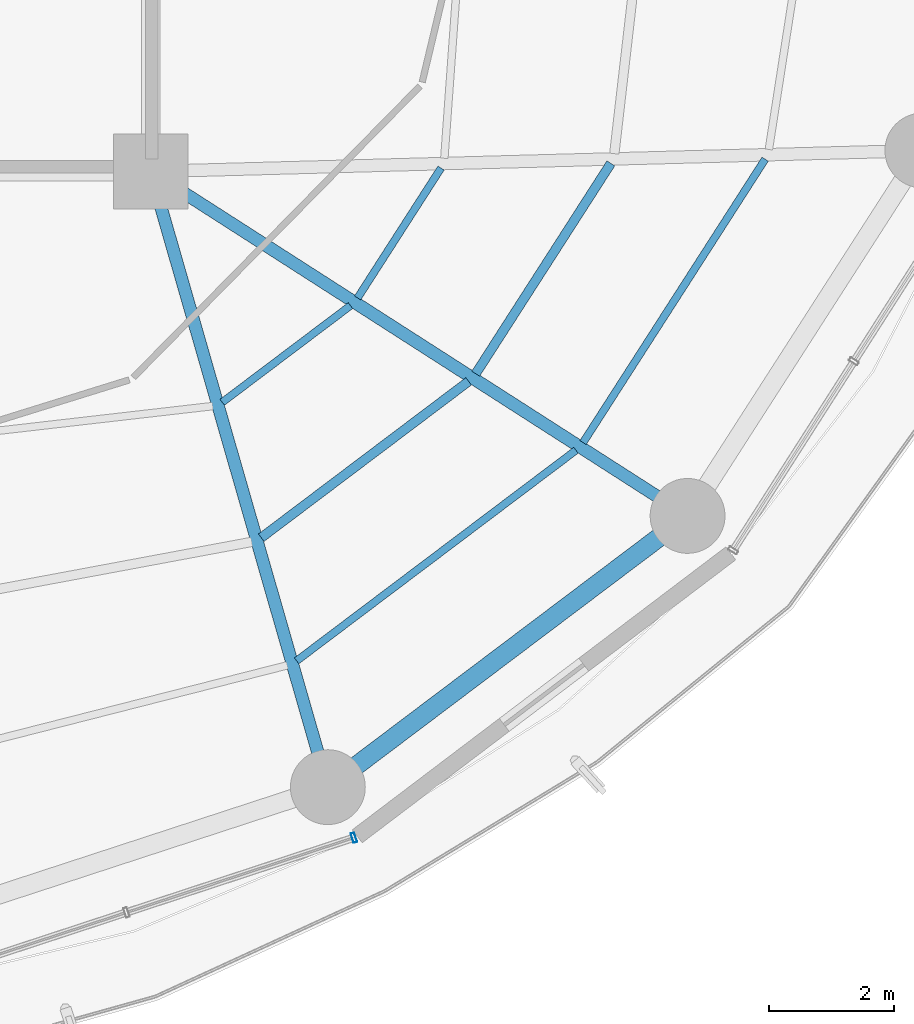
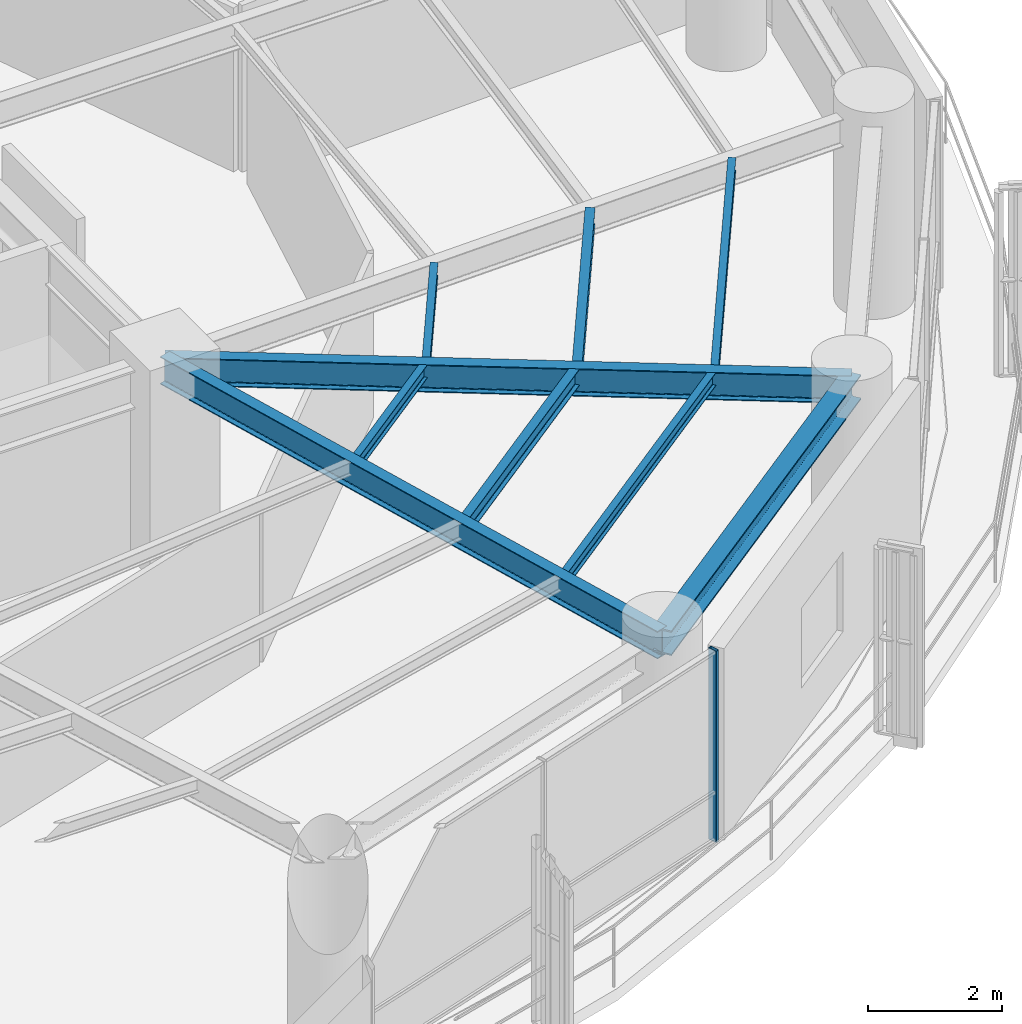
# One storey, part 10 of 28: 9 beams, 1 member, 1 element without a shape of its own.
"""IFC4 building model written with IfcOpenShell, lengths in metres."""

import ifcopenshell
import ifcopenshell.guid

model = None  # the IFC model being written
_history = None  # IfcOwnerHistory: only IFC2X3 demands one
_inside = {}  # id of a spatial element -> (the spatial element, [elements in it])
_under = {}  # id of a project, library or spatial element -> (it, [spatial elements below it])
_declared = {}  # id of a project -> (the project, [libraries it declares])
_typed = {}  # id of a type object -> (the type object, [elements of that type])
_made_of = {}  # id of a material, layer set ... -> (it, [elements and type objects made of it])


def new_model(schema):
    """Start an empty IFC model of exactly this schema.

    Asked for "IFC4X3", IfcOpenShell would pick the latest addendum, in which some entities
    have other attributes; the version numbers below select the first issue.
    IFC2X3 requires an IfcOwnerHistory on every rooted entity: one is made here for all.
    """
    global model, _history
    if schema == "IFC4X3":
        model = ifcopenshell.file(schema_version=(4, 3, 0, 0))
    else:
        model = ifcopenshell.file(schema=schema)
    _inside.clear()
    _under.clear()
    _declared.clear()
    _typed.clear()
    _made_of.clear()
    _history = None
    if model.schema == "IFC2X3":
        org = make("IfcOrganization", Name="unknown")
        user = make(
            "IfcPersonAndOrganization",
            ThePerson=make("IfcPerson", FamilyName="unknown"),
            TheOrganization=org,
        )
        app = make(
            "IfcApplication",
            ApplicationDeveloper=org,
            Version="unknown",
            ApplicationFullName="unknown",
            ApplicationIdentifier="unknown",
        )
        _history = make(
            "IfcOwnerHistory",
            OwningUser=user,
            OwningApplication=app,
            ChangeAction="ADDED",
            CreationDate=0,
        )
    return model


def make(cls, **values):
    """One entity of the class cls with the attributes given. An attribute that is None is left unset."""
    return model.create_entity(
        cls, **{name: value for name, value in values.items() if value is not None}
    )


def rooted(cls, **values):
    """An entity with a GlobalId (a new one), such as an element, a storey or a relation."""
    return make(cls, GlobalId=ifcopenshell.guid.new(), OwnerHistory=_history, **values)


def si_unit(unit_type, name, prefix=None):
    """IfcSIUnit, for example si_unit("LENGTHUNIT", "METRE", prefix="MILLI")."""
    return make("IfcSIUnit", UnitType=unit_type, Prefix=prefix, Name=name)


def assignment(units):
    """IfcUnitAssignment: the units of a project."""
    return None if units is None else make("IfcUnitAssignment", Units=units)


def point(xyz):
    """IfcCartesianPoint."""
    return None if xyz is None else make("IfcCartesianPoint", Coordinates=xyz)


def direction(xyz):
    """IfcDirection."""
    return None if xyz is None else make("IfcDirection", DirectionRatios=xyz)


def frame(location, z_axis=None, x_axis=None):
    """IfcAxis2Placement3D, a coordinate frame: its origin and axes. An axis left out is left unset."""
    return make(
        "IfcAxis2Placement3D",
        Location=point(location),
        Axis=direction(z_axis),
        RefDirection=direction(x_axis),
    )


def frame_2d(location, x_axis=None):
    """IfcAxis2Placement2D, a coordinate frame in the plane: its origin and x axis."""
    return make(
        "IfcAxis2Placement2D", Location=point(location), RefDirection=direction(x_axis)
    )


def origin():
    """The frame at (0, 0, 0) with its axes left unset."""
    return frame((0.0, 0.0, 0.0))


def origin_2d():
    """The frame at (0, 0) in the plane with its x axis left unset."""
    return frame_2d((0.0, 0.0))


def place(relative_to, where):
    """IfcLocalPlacement: puts the frame where relative to a parent placement (None: the world)."""
    return make(
        "IfcLocalPlacement", PlacementRelTo=relative_to, RelativePlacement=where
    )


def context(
    kind, dimensions, precision=None, world=None, true_north=None, identifier=None
):
    """IfcGeometricRepresentationContext, for example the 3D "Model" context."""
    return make(
        "IfcGeometricRepresentationContext",
        ContextIdentifier=identifier,
        ContextType=kind,
        CoordinateSpaceDimension=dimensions,
        Precision=precision,
        WorldCoordinateSystem=world,
        TrueNorth=true_north,
    )


def subcontext(parent, identifier, kind, view, scale=None):
    """IfcGeometricRepresentationSubContext, for example "Body" below "Model"."""
    return make(
        "IfcGeometricRepresentationSubContext",
        ContextIdentifier=identifier,
        ContextType=kind,
        ParentContext=parent,
        TargetScale=scale,
        TargetView=view,
    )


def project(units=None, contexts=None):
    """IfcProject with its units and contexts."""
    return rooted(
        "IfcProject",
        Name="project",
        RepresentationContexts=contexts,
        UnitsInContext=assignment(units),
    )


def spatial(cls, under=None, at=None, **own):
    """A site, building, storey or space (cls), placed at a placement, below another one or the project."""
    s = rooted(cls, ObjectPlacement=at, **own)
    if under is not None:
        _under.setdefault(under.id(), (under, []))[1].append(s)
    return s


def profile(cls, at=None, kind="AREA", **sizes):
    """A parametric profile (cls). Its sizes go by their IFC names, for example OverallWidth=200.0."""
    return make(cls, ProfileType=kind, Position=at, **sizes)


def hollow_rectangle(**sizes):
    """IfcRectangleHollowProfileDef."""
    return profile("IfcRectangleHollowProfileDef", **sizes)


def i_section(**sizes):
    """IfcIShapeProfileDef."""
    return profile("IfcIShapeProfileDef", **sizes)


def extrude(swept, where, along, depth):
    """IfcExtrudedAreaSolid: the profile swept, set in the frame where, extruded along a direction by depth."""
    return make(
        "IfcExtrudedAreaSolid",
        SweptArea=swept,
        Position=where,
        ExtrudedDirection=direction(along),
        Depth=depth,
    )


def shape(context_of_items, identifier, shape_type, items):
    """IfcShapeRepresentation: the items that make up one representation, for example the "Body"."""
    return make(
        "IfcShapeRepresentation",
        ContextOfItems=context_of_items,
        RepresentationIdentifier=identifier,
        RepresentationType=shape_type,
        Items=items,
    )


def material(Name=None, Category=None):
    """IfcMaterial."""
    return make("IfcMaterial", Name=Name, Category=Category)


def layer(
    of_material, thickness, ventilated=None, Name=None, Category=None, Priority=None
):
    """IfcMaterialLayer: one layer of a wall or slab, of a material (None: an air gap)."""
    return make(
        "IfcMaterialLayer",
        Material=of_material,
        LayerThickness=thickness,
        IsVentilated=ventilated,
        Name=Name,
        Category=Category,
        Priority=Priority,
    )


def layer_set(layers, Name=None):
    """IfcMaterialLayerSet."""
    return make("IfcMaterialLayerSet", MaterialLayers=layers, LayerSetName=Name)


def material_profile(
    of_material, cross_section, Name=None, Category=None, Priority=None
):
    """IfcMaterialProfile: a cross section and its material."""
    return make(
        "IfcMaterialProfile",
        Name=Name,
        Material=of_material,
        Profile=cross_section,
        Priority=Priority,
        Category=Category,
    )


def profile_set(profiles, Name=None, composite=None):
    """IfcMaterialProfileSet."""
    return make(
        "IfcMaterialProfileSet",
        Name=Name,
        MaterialProfiles=profiles,
        CompositeProfile=composite,
    )


def made_of(thing, what):
    """Note that an element or type object is made of a material, layer set ...; save() writes the relation."""
    if what is not None:
        _made_of.setdefault(what.id(), (what, []))[1].append(thing)
    return thing


def type_object(cls, material=None, **own):
    """A type object (cls), such as IfcWallType, which elements share."""
    return made_of(rooted(cls, **own), material)


def element(
    cls,
    number,
    at=None,
    inside=None,
    cuts=None,
    type_object=None,
    material=None,
    context=None,
    identifier="Body",
    shape_type=None,
    held_by="IfcProductDefinitionShape",
    body=None,
    shapes=None,
    **own,
):
    """One element of the class cls, such as IfcWall. Its Tag is "e" and its number.

    at: its placement. inside: the storey or other place that contains it. cuts: it is an
    opening in that element (IfcRelVoidsElement). A single representation is given by context,
    identifier, shape_type and body (its items); several are given by shapes. held_by: the class
    of the entity that holds the representations. save() writes the other relations.
    """
    e = rooted(cls, Tag="e%d" % number, ObjectPlacement=at, **own)
    if body is not None:
        shapes = [shape(context, identifier, shape_type, body)]
    if shapes is not None:
        e.Representation = make(held_by, Representations=shapes)
    if inside is not None:
        _inside.setdefault(inside.id(), (inside, []))[1].append(e)
    if cuts is not None:
        rooted(
            "IfcRelVoidsElement", RelatingBuildingElement=cuts, RelatedOpeningElement=e
        )
    if type_object is not None:
        _typed.setdefault(type_object.id(), (type_object, []))[1].append(e)
    return made_of(e, material)


def aggregate(whole, parts):
    """IfcRelAggregates: a whole, such as a stair, and the parts it consists of."""
    return rooted("IfcRelAggregates", RelatingObject=whole, RelatedObjects=parts)


def save(model, path):
    """Write the relations noted so far, then the file.

    IfcRelAggregates (storeys below a building ...), IfcRelContainedInSpatialStructure (elements
    in a storey), IfcRelDefinesByType, IfcRelAssociatesMaterial and IfcRelDeclares: one each for
    every whole, place, type object, material and project.
    """
    for whole, parts in _under.values():
        aggregate(whole, parts)
    for where, things in _inside.values():
        rooted(
            "IfcRelContainedInSpatialStructure",
            RelatedElements=things,
            RelatingStructure=where,
        )
    for kind, things in _typed.values():
        rooted("IfcRelDefinesByType", RelatedObjects=things, RelatingType=kind)
    for what, things in _made_of.values():
        rooted("IfcRelAssociatesMaterial", RelatedObjects=things, RelatingMaterial=what)
    for by, libraries in _declared.values():
        rooted("IfcRelDeclares", RelatingContext=by, RelatedDefinitions=libraries)
    model.write(path)


model = new_model("IFC4")

# Units and contexts
model_context = context("Model", 3, precision=1e-05, world=origin(), true_north=direction((0.0, 1.0)))
body_context = subcontext(model_context, "Body", "Model", "MODEL_VIEW")
ifc_project = project(units=[si_unit("LENGTHUNIT", "METRE"), si_unit("AREAUNIT", "SQUARE_METRE"), si_unit("VOLUMEUNIT", "CUBIC_METRE"), si_unit("PLANEANGLEUNIT", "RADIAN"), si_unit("MASSUNIT", "GRAM", prefix="KILO")], contexts=[model_context])

# Site, building, storey
site_placement = place(None, origin())
site = spatial("IfcSite", under=ifc_project, at=site_placement, CompositionType="ELEMENT")
building_placement = place(site_placement, origin())
building = spatial("IfcBuilding", under=site, at=building_placement, Name="Kelanora Arch Commons", CompositionType="ELEMENT")
storey_placement = place(building_placement, frame((0.0, 0.0, 158.10009765625)))
storey = spatial("IfcBuildingStorey", under=building, at=storey_placement, Name="L40", CompositionType="ELEMENT", Elevation=158.10009765625)

# Beams
ifc_material_1 = material(Name="Steel S355", Category="steel")
ifc_material_profile_1 = material_profile(ifc_material_1, i_section(OverallWidth=0.14990234375, OverallDepth=0.300048828125, WebThickness=0.007080078125, FlangeThickness=0.0107421875, FilletRadius=0.014892578125, at=origin_2d()), Name="IPE300")
ifc_profile_set_1 = profile_set([ifc_material_profile_1], Name="Steel S355")
beam_type_1 = type_object("IfcBeamType", Name="BM-JST-01", PredefinedType="JOIST", material=ifc_profile_set_1)
beam_1_placement = place(storey_placement, frame((83.77197265625, 45.129150390625, 3.33984375), z_axis=(0.798463547891, 0.602043156833, 0.0), x_axis=(-0.602043156833, 0.798463547891, 0.0)))
element("IfcBeam", 1, at=beam_1_placement, inside=storey, type_object=beam_type_1, Name="Secondary Chord Joist BJB-30 L40", PredefinedType="JOIST", context=body_context, shape_type="SweptSolid", body=[
    extrude(i_section(OverallWidth=0.14990234375, OverallDepth=0.300048828125, WebThickness=0.007080078125, FlangeThickness=0.0107421875, FilletRadius=0.014892578125, at=origin_2d()), origin(), (0.0, 0.0, 1.0), 4.163818359375),
])
beam_2_placement = place(storey_placement, frame((87.210693359375, 47.758544921875, 3.33984375), z_axis=(0.540594434398, 0.841283339606, 0.0), x_axis=(-0.841283339606, 0.540594434398, 0.0)))
element("IfcBeam", 2, at=beam_2_placement, inside=storey, type_object=beam_type_1, Name="Secondary Chord Joist BJB-32 L40", PredefinedType="JOIST", context=body_context, shape_type="SweptSolid", body=[
    extrude(i_section(OverallWidth=0.14990234375, OverallDepth=0.300048828125, WebThickness=0.007080078125, FlangeThickness=0.0107421875, FilletRadius=0.014892578125, at=origin_2d()), origin(), (0.0, 0.0, 1.0), 4.008544921875),
])
ifc_material_profile_2 = material_profile(ifc_material_1, i_section(OverallWidth=0.1201171875, OverallDepth=0.239990234375, WebThickness=0.006103515625, FlangeThickness=0.009765625, FilletRadius=0.014892578125, at=origin_2d()), Name="IPE240")
ifc_profile_set_2 = profile_set([ifc_material_profile_2], Name="Steel S355")
beam_type_2 = type_object("IfcBeamType", Name="BM-JST-02", PredefinedType="JOIST", material=ifc_profile_set_2)
beam_3_placement = place(storey_placement, frame((83.147216796875, 47.300537109375, 3.369873046875), z_axis=(0.798484118859, 0.602015873487, 0.0), x_axis=(-0.602015873487, 0.798484118859, 0.0)))
element("IfcBeam", 3, at=beam_3_placement, inside=storey, type_object=beam_type_2, Name="Secondary Chord Joist BJA-30 L40", PredefinedType="JOIST", context=body_context, shape_type="SweptSolid", body=[
    extrude(i_section(OverallWidth=0.1201171875, OverallDepth=0.239990234375, WebThickness=0.006103515625, FlangeThickness=0.009765625, FilletRadius=0.014892578125, at=origin_2d()), origin(), (0.0, 0.0, 1.0), 2.57470703125),
])
beam_4_placement = place(storey_placement, frame((84.33984375, 43.155029296875, 3.369873046875), z_axis=(0.798493128577, 0.602003923256, 0.0), x_axis=(-0.602003923256, 0.798493128577, 0.0)))
element("IfcBeam", 4, at=beam_4_placement, inside=storey, type_object=beam_type_2, Name="Secondary Chord Joist BJC-30 L40", PredefinedType="JOIST", context=body_context, shape_type="SweptSolid", body=[
    extrude(i_section(OverallWidth=0.1201171875, OverallDepth=0.239990234375, WebThickness=0.006103515625, FlangeThickness=0.009765625, FilletRadius=0.014892578125, at=origin_2d()), origin(), (0.0, 0.0, 1.0), 5.608642578125),
])
beam_5_placement = place(storey_placement, frame((85.31689453125, 48.973388671875, 3.369873046875), z_axis=(0.540583174025, 0.841290575224, 0.0), x_axis=(-0.841290575224, 0.540583174025, 0.0)))
element("IfcBeam", 5, at=beam_5_placement, inside=storey, type_object=beam_type_2, Name="Secondary Chord Joist BJA-32 L40", PredefinedType="JOIST", context=body_context, shape_type="SweptSolid", body=[
    extrude(i_section(OverallWidth=0.1201171875, OverallDepth=0.239990234375, WebThickness=0.006103515625, FlangeThickness=0.009765625, FilletRadius=0.014892578125, at=origin_2d()), origin(), (0.0, 0.0, 1.0), 2.476318359375),
])
beam_6_placement = place(storey_placement, frame((88.93212890625, 46.654296875, 3.369873046875), z_axis=(0.540581678156, 0.841291536414, 0.0), x_axis=(-0.841291536414, 0.540581678156, 0.0)))
element("IfcBeam", 6, at=beam_6_placement, inside=storey, type_object=beam_type_2, Name="Secondary Chord Joist BJC-32 L40", PredefinedType="JOIST", context=body_context, shape_type="SweptSolid", body=[
    extrude(i_section(OverallWidth=0.1201171875, OverallDepth=0.239990234375, WebThickness=0.006103515625, FlangeThickness=0.009765625, FilletRadius=0.014892578125, at=origin_2d()), origin(), (0.0, 0.0, 1.0), 5.4013671875),
])
ifc_material_profile_3 = material_profile(ifc_material_1, i_section(OverallWidth=0.199951171875, OverallDepth=0.5, WebThickness=0.01025390625, FlangeThickness=0.01611328125, FilletRadius=0.02099609375, at=origin_2d()), Name="IPE500")
ifc_profile_set_3 = profile_set([ifc_material_profile_3], Name="Steel S355")
beam_type_3 = type_object("IfcBeamType", Name="BM-RAD-Z3", PredefinedType="BEAM", material=ifc_profile_set_3)
beam_7_placement = place(storey_placement, frame((82.0, 51.0, 3.239990234375), z_axis=(0.276525880065, -0.961006471182, 0.0), x_axis=(0.961006471182, 0.276525880065, 0.0)))
element("IfcBeam", 7, at=beam_7_placement, inside=storey, type_object=beam_type_3, Name="Radial Floor Girder BR-30 L40", PredefinedType="BEAM", context=body_context, shape_type="SweptSolid", body=[
    extrude(i_section(OverallWidth=0.199951171875, OverallDepth=0.5, WebThickness=0.01025390625, FlangeThickness=0.01611328125, FilletRadius=0.02099609375, at=origin_2d()), origin(), (0.0, 0.0, 1.0), 10.2705078125),
])
beam_8_placement = place(storey_placement, frame((82.0, 51.0, 3.239990234375), z_axis=(0.841719465748, -0.539915123868, 0.0), x_axis=(0.539915123868, 0.841719465748, 0.0)))
element("IfcBeam", 8, at=beam_8_placement, inside=storey, type_object=beam_type_3, Name="Radial Floor Girder BR-32 L40", PredefinedType="BEAM", context=body_context, shape_type="SweptSolid", body=[
    extrude(i_section(OverallWidth=0.199951171875, OverallDepth=0.5, WebThickness=0.01025390625, FlangeThickness=0.01611328125, FilletRadius=0.02099609375, at=origin_2d()), origin(), (0.0, 0.0, 1.0), 10.2265625),
])
ifc_material_profile_4 = material_profile(ifc_material_1, i_section(OverallWidth=0.300048828125, OverallDepth=0.449951171875, WebThickness=0.013916015625, FlangeThickness=0.02587890625, FilletRadius=0.027099609375, at=origin_2d()), Name="HEB450")
ifc_profile_set_4 = profile_set([ifc_material_profile_4], Name="Steel S355")
beam_type_4 = type_object("IfcBeamType", Name="BM-SPN-Z3", PredefinedType="SPANDREL", material=ifc_profile_set_4)
beam_9_placement = place(storey_placement, frame((84.840087890625, 41.1298828125, 3.264892578125), z_axis=(0.798484645564, 0.60201517489, 0.0), x_axis=(-0.60201517489, 0.798484645564, 0.0)))
element("IfcBeam", 9, at=beam_9_placement, inside=storey, type_object=beam_type_4, Name="Perimeter Spandrel Beam BS-30 L40", PredefinedType="SPANDREL", context=body_context, shape_type="SweptSolid", body=[
    extrude(i_section(OverallWidth=0.300048828125, OverallDepth=0.449951171875, WebThickness=0.013916015625, FlangeThickness=0.02587890625, FilletRadius=0.027099609375, at=origin_2d()), origin(), (0.0, 0.0, 1.0), 7.223388671875),
])

# Curtain wall, member
ifc_material_2 = material(Name="Terracotta ceramic-fritted low-E glass and aluminium", Category="masonry")
ifc_layer = layer(ifc_material_2, 0.175048828125)
ifc_layer_set = layer_set([ifc_layer], Name="Terracotta ceramic-fritted low-E glass and aluminium")
curtain_wall_type = type_object("IfcCurtainWallType", Name="CW-SYS-02", PredefinedType="NOTDEFINED", material=ifc_layer_set)
curtain_wall_placement = place(storey_placement, origin())
curtain_wall = element("IfcCurtainWall", 10, at=curtain_wall_placement, inside=storey, type_object=curtain_wall_type, Name="Unitised Curtain Wall L40-B14", PredefinedType="NOTDEFINED")
ifc_material_3 = material(Name="Powder-coated aluminium terracotta", Category="masonry")
ifc_material_profile_5 = material_profile(ifc_material_3, hollow_rectangle(XDim=0.159912109375, YDim=0.06005859375, WallThickness=0.0048828125, InnerFilletRadius=0.0048828125, OuterFilletRadius=0.010009765625, at=origin_2d()), Name="CWM160x60")
ifc_profile_set_5 = profile_set([ifc_material_profile_5], Name="Powder-coated aluminium terracotta")
member_type = type_object("IfcMemberType", Name="CWM-STD", PredefinedType="MULLION", material=ifc_profile_set_5)
member_placement = place(storey_placement, frame((85.257080078125, 40.319091796875, 0.0), z_axis=(0.0, 0.0, 1.0), x_axis=(-0.312128279571, 0.95003996605, 0.0)))
member = element("IfcMember", 11, at=member_placement, type_object=member_type, Name="CW-02 mullion 3", PredefinedType="MULLION", context=body_context, shape_type="SweptSolid", body=[
    extrude(hollow_rectangle(XDim=0.159912109375, YDim=0.06005859375, WallThickness=0.0048828125, InnerFilletRadius=0.0048828125, OuterFilletRadius=0.010009765625, at=origin_2d()), origin(), (0.0, 0.0, 1.0), 3.474853515625),
])
aggregate(curtain_wall, [member])

save(model, "model.ifc")
